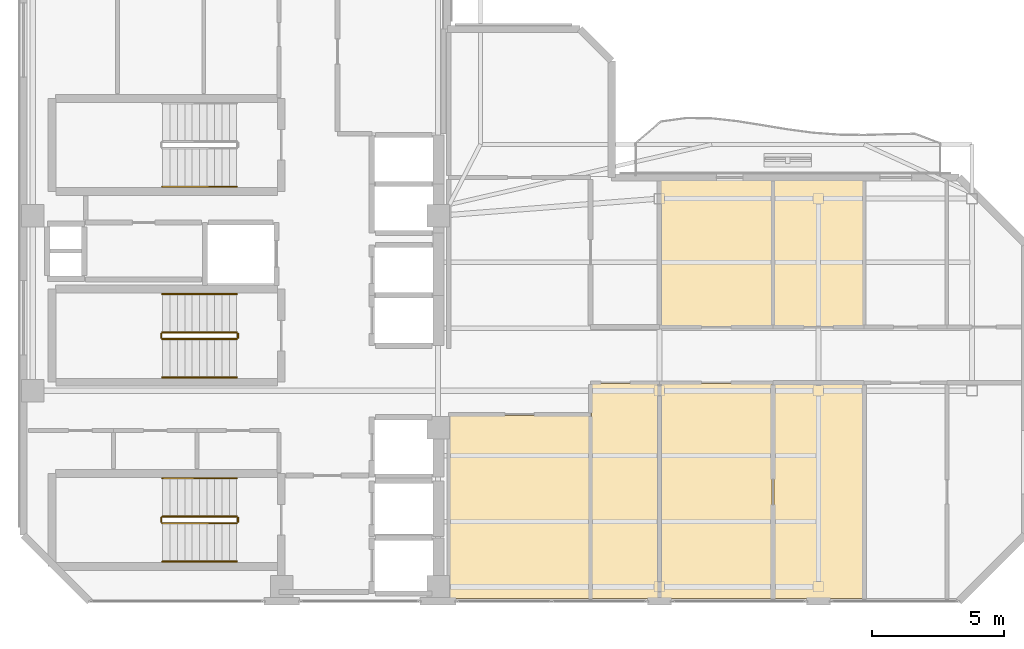
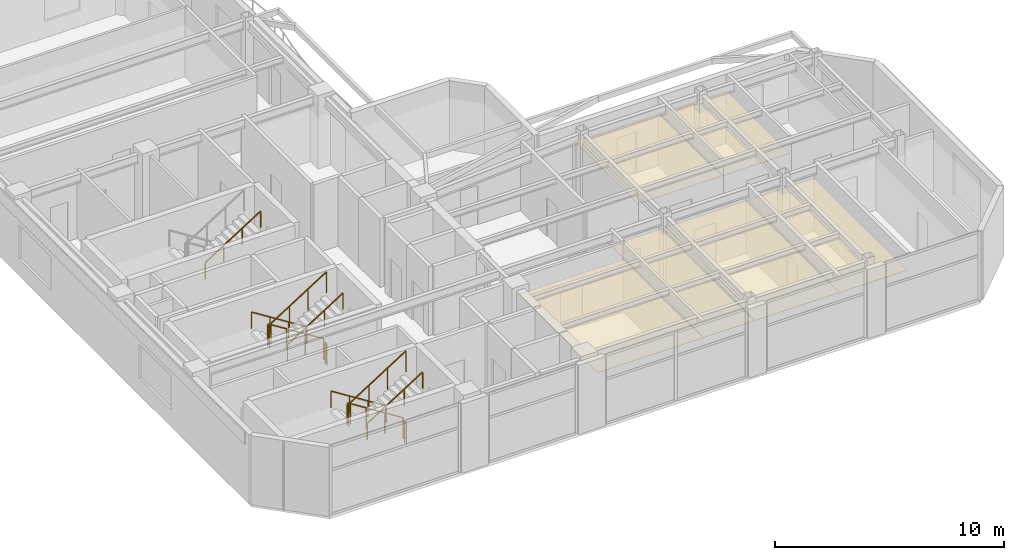
# One storey, part 13 of 15: 13 railings, 6 coverings.
"""IFC4 building model written with IfcOpenShell, lengths in metres."""

from ifc_helpers import new_model, si_unit, direction, frame, origin, origin_2d, place, context, subcontext, project, spatial, polyline, rectangle, outline, extrude, material, layer, layer_set, type_object, element, save


model = new_model("IFC4")

# Units and contexts
model_context = context("Model", 3, precision=1e-05, world=origin(), true_north=direction((0.0, 1.0)))
body_context = subcontext(model_context, "Body", "Model", "MODEL_VIEW")
ifc_project = project(units=[si_unit("LENGTHUNIT", "METRE"), si_unit("AREAUNIT", "SQUARE_METRE"), si_unit("VOLUMEUNIT", "CUBIC_METRE"), si_unit("PLANEANGLEUNIT", "RADIAN"), si_unit("MASSUNIT", "GRAM", prefix="KILO")], contexts=[model_context])

# Site, building, storey
site_placement = place(None, origin())
site = spatial("IfcSite", under=ifc_project, at=site_placement, CompositionType="ELEMENT")
building_placement = place(site_placement, origin())
building = spatial("IfcBuilding", under=site, at=building_placement, Name="Mawjaban Terraces University", CompositionType="ELEMENT")
storey_placement = place(building_placement, frame((0.0, 0.0, 279.39990234375)))
storey = spatial("IfcBuildingStorey", under=building, at=storey_placement, Name="L68", CompositionType="ELEMENT", Elevation=279.39990234375)

# Coverings
ifc_material_1 = material(Name="Acoustic mineral fibre ceiling tile", Category="masonry")
ifc_layer = layer(ifc_material_1, 0.02001953125)
ifc_layer_set = layer_set([ifc_layer], Name="Acoustic mineral fibre ceiling tile")
covering_type = type_object("IfcCoveringType", Name="AcousticMineralCeiling_20", PredefinedType="CEILING", material=ifc_layer_set)
covering_1_placement = place(storey_placement, frame((0.0, 0.0, 2.75)))
element("IfcCovering", 1, at=covering_1_placement, inside=storey, type_object=covering_type, Name="L68 Computational Laboratory 1 Acoustic Ceiling", PredefinedType="CEILING", context=body_context, shape_type="SweptSolid", body=[
    extrude(outline(polyline([(38.080078125, 7.02001953125), (38.080078125, 0.114990234375), (43.3701171875, 0.114990234375), (43.3701171875, 7.02001953125), (38.080078125, 7.02001953125)])), origin(), (0.0, 0.0, 1.0), 0.02001953125),
])
covering_2_placement = place(storey_placement, frame((0.0, 0.0, 2.75)))
element("IfcCovering", 2, at=covering_2_placement, inside=storey, type_object=covering_type, Name="L68 Teaching Laboratory 2 Acoustic Ceiling", PredefinedType="CEILING", context=body_context, shape_type="SweptSolid", body=[
    extrude(outline(polyline([(43.429931640625, 0.114990234375), (45.969970703125, 0.114990234375), (45.969970703125, 8.219970703125), (43.429931640625, 8.219970703125), (43.429931640625, 0.114990234375)])), origin(), (0.0, 0.0, 1.0), 0.02001953125),
])
covering_3_placement = place(storey_placement, frame((0.0, 0.0, 2.75)))
element("IfcCovering", 3, at=covering_3_placement, inside=storey, type_object=covering_type, Name="L68 Computational Laboratory 4 Acoustic Ceiling", PredefinedType="CEILING", context=body_context, shape_type="SweptSolid", body=[
    extrude(outline(polyline([(46.030029296875, 0.114990234375), (50.258056640625, 0.114990234375), (50.258056640625, 8.219970703125), (46.030029296875, 8.219970703125), (46.030029296875, 0.114990234375)])), origin(), (0.0, 0.0, 1.0), 0.02001953125),
])
covering_4_placement = place(storey_placement, frame((0.0, 0.0, 2.75)))
element("IfcCovering", 4, at=covering_4_placement, inside=storey, type_object=covering_type, Name="L68 Teaching Laboratory 5 Acoustic Ceiling", PredefinedType="CEILING", context=body_context, shape_type="SweptSolid", body=[
    extrude(outline(polyline([(50.258056640625, 15.885009765625), (46.030029296875, 15.885009765625), (46.030029296875, 10.3798828125), (50.258056640625, 10.3798828125), (50.258056640625, 15.885009765625)])), origin(), (0.0, 0.0, 1.0), 0.02001953125),
])
covering_5_placement = place(storey_placement, frame((0.0, 0.0, 2.75)))
element("IfcCovering", 5, at=covering_5_placement, inside=storey, type_object=covering_type, Name="L68 Design Studio 6 Acoustic Ceiling", PredefinedType="CEILING", context=body_context, shape_type="SweptSolid", body=[
    extrude(outline(polyline([(50.318115234375, 0.114990234375), (53.701904296875, 0.114990234375), (53.701904296875, 8.219970703125), (50.318115234375, 8.219970703125), (50.318115234375, 0.114990234375)])), origin(), (0.0, 0.0, 1.0), 0.02001953125),
])
covering_6_placement = place(storey_placement, frame((0.0, 0.0, 2.75)))
element("IfcCovering", 6, at=covering_6_placement, inside=storey, type_object=covering_type, Name="L68 Computational Laboratory 7 Acoustic Ceiling", PredefinedType="CEILING", context=body_context, shape_type="SweptSolid", body=[
    extrude(outline(polyline([(53.701904296875, 15.885009765625), (50.318115234375, 15.885009765625), (50.318115234375, 10.3798828125), (53.701904296875, 10.3798828125), (53.701904296875, 15.885009765625)])), origin(), (0.0, 0.0, 1.0), 0.02001953125),
])

# Railings
ifc_material_2 = material(Name="Brushed stainless steel 316", Category="steel")
railing_type_1 = type_object("IfcRailingType", Name="StairWallHandrail_900", PredefinedType="HANDRAIL", material=ifc_material_2)
railing_1_placement = place(storey_placement, frame((30.050048828125, 4.64990234375, 0.177490234375)))
element("IfcRailing", 7, at=railing_1_placement, inside=storey, type_object=railing_type_1, Name="L68 ST-1 stair handrail 1", PredefinedType="HANDRAIL", context=body_context, shape_type="SweptSolid", body=[
    extrude(rectangle(XDim=0.048095703125, YDim=0.048095703125, at=origin_2d()), frame((0.0, 0.0, 0.8759765625), z_axis=(-0.844908973607, 0.0, 0.534910110503), x_axis=(0.0, -1.0, 0.0)), (0.0, 0.0, 1.0), 3.31396484375),
    extrude(rectangle(XDim=0.0419921875, YDim=0.0419921875, at=origin_2d()), origin(), (0.0, 0.0, 1.0), 0.851806640625),
    extrude(rectangle(XDim=0.0419921875, YDim=0.0419921875, at=origin_2d()), frame((-0.933349609375, 0.0, 0.5908203125)), (0.0, 0.0, 1.0), 0.851806640625),
    extrude(rectangle(XDim=0.0419921875, YDim=0.0419921875, at=origin_2d()), frame((-1.86669921875, 0.0, 1.181884765625)), (0.0, 0.0, 1.0), 0.851806640625),
    extrude(rectangle(XDim=0.0419921875, YDim=0.0419921875, at=origin_2d()), frame((-2.800048828125, 0.0, 1.772705078125)), (0.0, 0.0, 1.0), 0.851806640625),
])
for number, where, name in (
    (8, (27.25, 1.5, 2.12744140625), "L68 ST-1 stair handrail 2"),
    (9, (27.25, 15.64990234375, 2.12744140625), "L68 ST-2 stair handrail 2"),
):
    element("IfcRailing", number, at=place(storey_placement, frame(where)), inside=storey, type_object=railing_type_1, Name=name, PredefinedType="HANDRAIL", context=body_context, shape_type="SweptSolid", body=[
        extrude(rectangle(XDim=0.048095703125, YDim=0.048095703125, at=origin_2d()), frame((0.0, 0.0, 0.8759765625), z_axis=(0.844908973607, 0.0, 0.534910110503), x_axis=(0.0, 1.0, 0.0)), (0.0, 0.0, 1.0), 3.31396484375),
        extrude(rectangle(XDim=0.0419921875, YDim=0.0419921875, at=origin_2d()), origin(), (0.0, 0.0, 1.0), 0.851806640625),
        extrude(rectangle(XDim=0.0419921875, YDim=0.0419921875, at=origin_2d()), frame((0.933349609375, 0.0, 0.5908203125)), (0.0, 0.0, 1.0), 0.851806640625),
        extrude(rectangle(XDim=0.0419921875, YDim=0.0419921875, at=origin_2d()), frame((1.86669921875, 0.0, 1.181884765625)), (0.0, 0.0, 1.0), 0.851806640625),
        extrude(rectangle(XDim=0.0419921875, YDim=0.0419921875, at=origin_2d()), frame((2.800048828125, 0.0, 1.772705078125)), (0.0, 0.0, 1.0), 0.851806640625),
    ])
railing_2_placement = place(storey_placement, frame((30.050048828125, 11.60009765625, 0.177490234375)))
element("IfcRailing", 10, at=railing_2_placement, inside=storey, type_object=railing_type_1, Name="L68 ST-3 stair handrail 1", PredefinedType="HANDRAIL", context=body_context, shape_type="SweptSolid", body=[
    extrude(rectangle(XDim=0.048095703125, YDim=0.048095703125, at=origin_2d()), frame((0.0, 0.0, 0.8759765625), z_axis=(-0.844908973607, 0.0, 0.534910110503), x_axis=(0.0, -1.0, 0.0)), (0.0, 0.0, 1.0), 3.31396484375),
    extrude(rectangle(XDim=0.0419921875, YDim=0.0419921875, at=origin_2d()), origin(), (0.0, 0.0, 1.0), 0.851806640625),
    extrude(rectangle(XDim=0.0419921875, YDim=0.0419921875, at=origin_2d()), frame((-0.933349609375, 0.0, 0.5908203125)), (0.0, 0.0, 1.0), 0.851806640625),
    extrude(rectangle(XDim=0.0419921875, YDim=0.0419921875, at=origin_2d()), frame((-1.86669921875, 0.0, 1.181884765625)), (0.0, 0.0, 1.0), 0.851806640625),
    extrude(rectangle(XDim=0.0419921875, YDim=0.0419921875, at=origin_2d()), frame((-2.800048828125, 0.0, 1.772705078125)), (0.0, 0.0, 1.0), 0.851806640625),
])
railing_3_placement = place(storey_placement, frame((27.25, 8.449951171875, 2.12744140625)))
element("IfcRailing", 11, at=railing_3_placement, inside=storey, type_object=railing_type_1, Name="L68 ST-3 stair handrail 2", PredefinedType="HANDRAIL", context=body_context, shape_type="SweptSolid", body=[
    extrude(rectangle(XDim=0.048095703125, YDim=0.048095703125, at=origin_2d()), frame((0.0, 0.0, 0.8759765625), z_axis=(0.844908973607, 0.0, 0.534910110503), x_axis=(0.0, 1.0, 0.0)), (0.0, 0.0, 1.0), 3.31396484375),
    extrude(rectangle(XDim=0.0419921875, YDim=0.0419921875, at=origin_2d()), origin(), (0.0, 0.0, 1.0), 0.851806640625),
    extrude(rectangle(XDim=0.0419921875, YDim=0.0419921875, at=origin_2d()), frame((0.933349609375, 0.0, 0.5908203125)), (0.0, 0.0, 1.0), 0.851806640625),
    extrude(rectangle(XDim=0.0419921875, YDim=0.0419921875, at=origin_2d()), frame((1.86669921875, 0.0, 1.181884765625)), (0.0, 0.0, 1.0), 0.851806640625),
    extrude(rectangle(XDim=0.0419921875, YDim=0.0419921875, at=origin_2d()), frame((2.800048828125, 0.0, 1.772705078125)), (0.0, 0.0, 1.0), 0.851806640625),
])
ifc_material_3 = material(Name="Galvanised painted steel S355", Category="steel")
railing_type_2 = type_object("IfcRailingType", Name="StairWellGuard_1150", PredefinedType="BALUSTRADE", material=ifc_material_3)
railing_4_placement = place(storey_placement, frame((30.050048828125, 3.199951171875, 0.177490234375)))
element("IfcRailing", 12, at=railing_4_placement, inside=storey, type_object=railing_type_2, Name="L68 ST-1 stair guard 1", PredefinedType="BALUSTRADE", context=body_context, shape_type="SweptSolid", body=[
    extrude(rectangle(XDim=0.048095703125, YDim=0.048095703125, at=origin_2d()), frame((0.0, 0.0, 1.1259765625), z_axis=(-0.844908973607, 0.0, 0.534910110503), x_axis=(0.0, -1.0, 0.0)), (0.0, 0.0, 1.0), 3.31396484375),
    extrude(rectangle(XDim=0.0419921875, YDim=0.0419921875, at=origin_2d()), origin(), (0.0, 0.0, 1.0), 1.101806640625),
    extrude(rectangle(XDim=0.0419921875, YDim=0.0419921875, at=origin_2d()), frame((-0.933349609375, 0.0, 0.5908203125)), (0.0, 0.0, 1.0), 1.101806640625),
    extrude(rectangle(XDim=0.0419921875, YDim=0.0419921875, at=origin_2d()), frame((-1.86669921875, 0.0, 1.181884765625)), (0.0, 0.0, 1.0), 1.101806640625),
    extrude(rectangle(XDim=0.0419921875, YDim=0.0419921875, at=origin_2d()), frame((-2.800048828125, 0.0, 1.772705078125)), (0.0, 0.0, 1.0), 1.101806640625),
])
railing_5_placement = place(storey_placement, frame((27.199951171875, 3.14990234375, 1.9501953125)))
element("IfcRailing", 13, at=railing_5_placement, inside=storey, type_object=railing_type_2, Name="L68 ST-1 stair guard 2", PredefinedType="BALUSTRADE", context=body_context, shape_type="SweptSolid", body=[
    extrude(rectangle(XDim=0.048095703125, YDim=0.048095703125, at=origin_2d()), frame((0.0, 0.0, 1.1259765625), z_axis=(0.0, -1.0, 0.0), x_axis=(1.0, 0.0, 0.0)), (0.0, 0.0, 1.0), 0.14990234375),
    extrude(rectangle(XDim=0.0419921875, YDim=0.0419921875, at=origin_2d()), origin(), (0.0, 0.0, 1.0), 1.101806640625),
    extrude(rectangle(XDim=0.0419921875, YDim=0.0419921875, at=origin_2d()), frame((0.0, -0.14990234375, 0.0)), (0.0, 0.0, 1.0), 1.101806640625),
])
railing_6_placement = place(storey_placement, frame((27.25, 2.949951171875, 2.12744140625)))
element("IfcRailing", 14, at=railing_6_placement, inside=storey, type_object=railing_type_2, Name="L68 ST-1 stair guard 3", PredefinedType="BALUSTRADE", context=body_context, shape_type="SweptSolid", body=[
    extrude(rectangle(XDim=0.048095703125, YDim=0.048095703125, at=origin_2d()), frame((0.0, 0.0, 1.1259765625), z_axis=(0.844908973607, 0.0, 0.534910110503), x_axis=(0.0, 1.0, 0.0)), (0.0, 0.0, 1.0), 3.31396484375),
    extrude(rectangle(XDim=0.0419921875, YDim=0.0419921875, at=origin_2d()), origin(), (0.0, 0.0, 1.0), 1.101806640625),
    extrude(rectangle(XDim=0.0419921875, YDim=0.0419921875, at=origin_2d()), frame((0.933349609375, 0.0, 0.5908203125)), (0.0, 0.0, 1.0), 1.101806640625),
    extrude(rectangle(XDim=0.0419921875, YDim=0.0419921875, at=origin_2d()), frame((1.86669921875, 0.0, 1.181884765625)), (0.0, 0.0, 1.0), 1.101806640625),
    extrude(rectangle(XDim=0.0419921875, YDim=0.0419921875, at=origin_2d()), frame((2.800048828125, 0.0, 1.772705078125)), (0.0, 0.0, 1.0), 1.101806640625),
])
railing_7_placement = place(storey_placement, frame((30.10009765625, 3.14990234375, 0.0)))
element("IfcRailing", 15, at=railing_7_placement, inside=storey, type_object=railing_type_2, Name="L68 ST-1 stair guard 4", PredefinedType="BALUSTRADE", context=body_context, shape_type="SweptSolid", body=[
    extrude(rectangle(XDim=0.048095703125, YDim=0.048095703125, at=origin_2d()), frame((0.0, 0.0, 1.1259765625), z_axis=(0.0, -1.0, 0.0), x_axis=(1.0, 0.0, 0.0)), (0.0, 0.0, 1.0), 0.14990234375),
    extrude(rectangle(XDim=0.0419921875, YDim=0.0419921875, at=origin_2d()), origin(), (0.0, 0.0, 1.0), 1.101806640625),
    extrude(rectangle(XDim=0.0419921875, YDim=0.0419921875, at=origin_2d()), frame((0.0, -0.14990234375, 0.0)), (0.0, 0.0, 1.0), 1.101806640625),
])
railing_8_placement = place(storey_placement, frame((30.050048828125, 10.14990234375, 0.177490234375)))
element("IfcRailing", 16, at=railing_8_placement, inside=storey, type_object=railing_type_2, Name="L68 ST-3 stair guard 1", PredefinedType="BALUSTRADE", context=body_context, shape_type="SweptSolid", body=[
    extrude(rectangle(XDim=0.048095703125, YDim=0.048095703125, at=origin_2d()), frame((0.0, 0.0, 1.1259765625), z_axis=(-0.844908973607, 0.0, 0.534910110503), x_axis=(0.0, -1.0, 0.0)), (0.0, 0.0, 1.0), 3.31396484375),
    extrude(rectangle(XDim=0.0419921875, YDim=0.0419921875, at=origin_2d()), origin(), (0.0, 0.0, 1.0), 1.101806640625),
    extrude(rectangle(XDim=0.0419921875, YDim=0.0419921875, at=origin_2d()), frame((-0.933349609375, 0.0, 0.5908203125)), (0.0, 0.0, 1.0), 1.101806640625),
    extrude(rectangle(XDim=0.0419921875, YDim=0.0419921875, at=origin_2d()), frame((-1.86669921875, 0.0, 1.181884765625)), (0.0, 0.0, 1.0), 1.101806640625),
    extrude(rectangle(XDim=0.0419921875, YDim=0.0419921875, at=origin_2d()), frame((-2.800048828125, 0.0, 1.772705078125)), (0.0, 0.0, 1.0), 1.101806640625),
])
railing_9_placement = place(storey_placement, frame((27.199951171875, 10.10009765625, 1.9501953125)))
element("IfcRailing", 17, at=railing_9_placement, inside=storey, type_object=railing_type_2, Name="L68 ST-3 stair guard 2", PredefinedType="BALUSTRADE", context=body_context, shape_type="SweptSolid", body=[
    extrude(rectangle(XDim=0.048095703125, YDim=0.048095703125, at=origin_2d()), frame((0.0, 0.0, 1.1259765625), z_axis=(0.0, -1.0, 0.0), x_axis=(1.0, 0.0, 0.0)), (0.0, 0.0, 1.0), 0.150146484375),
    extrude(rectangle(XDim=0.0419921875, YDim=0.0419921875, at=origin_2d()), origin(), (0.0, 0.0, 1.0), 1.101806640625),
    extrude(rectangle(XDim=0.0419921875, YDim=0.0419921875, at=origin_2d()), frame((0.0, -0.150146484375, 0.0)), (0.0, 0.0, 1.0), 1.101806640625),
])
railing_10_placement = place(storey_placement, frame((27.25, 9.89990234375, 2.12744140625)))
element("IfcRailing", 18, at=railing_10_placement, inside=storey, type_object=railing_type_2, Name="L68 ST-3 stair guard 3", PredefinedType="BALUSTRADE", context=body_context, shape_type="SweptSolid", body=[
    extrude(rectangle(XDim=0.048095703125, YDim=0.048095703125, at=origin_2d()), frame((0.0, 0.0, 1.1259765625), z_axis=(0.844908973607, 0.0, 0.534910110503), x_axis=(0.0, 1.0, 0.0)), (0.0, 0.0, 1.0), 3.31396484375),
    extrude(rectangle(XDim=0.0419921875, YDim=0.0419921875, at=origin_2d()), origin(), (0.0, 0.0, 1.0), 1.101806640625),
    extrude(rectangle(XDim=0.0419921875, YDim=0.0419921875, at=origin_2d()), frame((0.933349609375, 0.0, 0.5908203125)), (0.0, 0.0, 1.0), 1.101806640625),
    extrude(rectangle(XDim=0.0419921875, YDim=0.0419921875, at=origin_2d()), frame((1.86669921875, 0.0, 1.181884765625)), (0.0, 0.0, 1.0), 1.101806640625),
    extrude(rectangle(XDim=0.0419921875, YDim=0.0419921875, at=origin_2d()), frame((2.800048828125, 0.0, 1.772705078125)), (0.0, 0.0, 1.0), 1.101806640625),
])
railing_11_placement = place(storey_placement, frame((30.10009765625, 10.10009765625, 0.0)))
element("IfcRailing", 19, at=railing_11_placement, inside=storey, type_object=railing_type_2, Name="L68 ST-3 stair guard 4", PredefinedType="BALUSTRADE", context=body_context, shape_type="SweptSolid", body=[
    extrude(rectangle(XDim=0.048095703125, YDim=0.048095703125, at=origin_2d()), frame((0.0, 0.0, 1.1259765625), z_axis=(0.0, -1.0, 0.0), x_axis=(1.0, 0.0, 0.0)), (0.0, 0.0, 1.0), 0.150146484375),
    extrude(rectangle(XDim=0.0419921875, YDim=0.0419921875, at=origin_2d()), origin(), (0.0, 0.0, 1.0), 1.101806640625),
    extrude(rectangle(XDim=0.0419921875, YDim=0.0419921875, at=origin_2d()), frame((0.0, -0.150146484375, 0.0)), (0.0, 0.0, 1.0), 1.101806640625),
])

save(model, "model.ifc")
